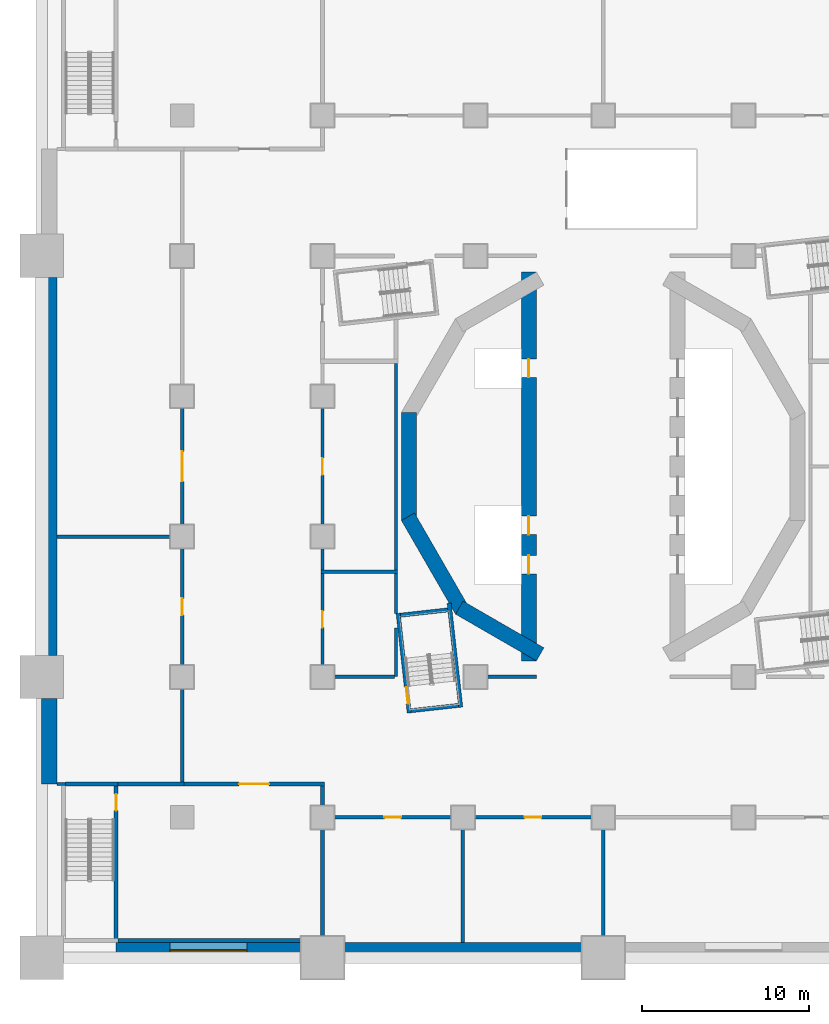
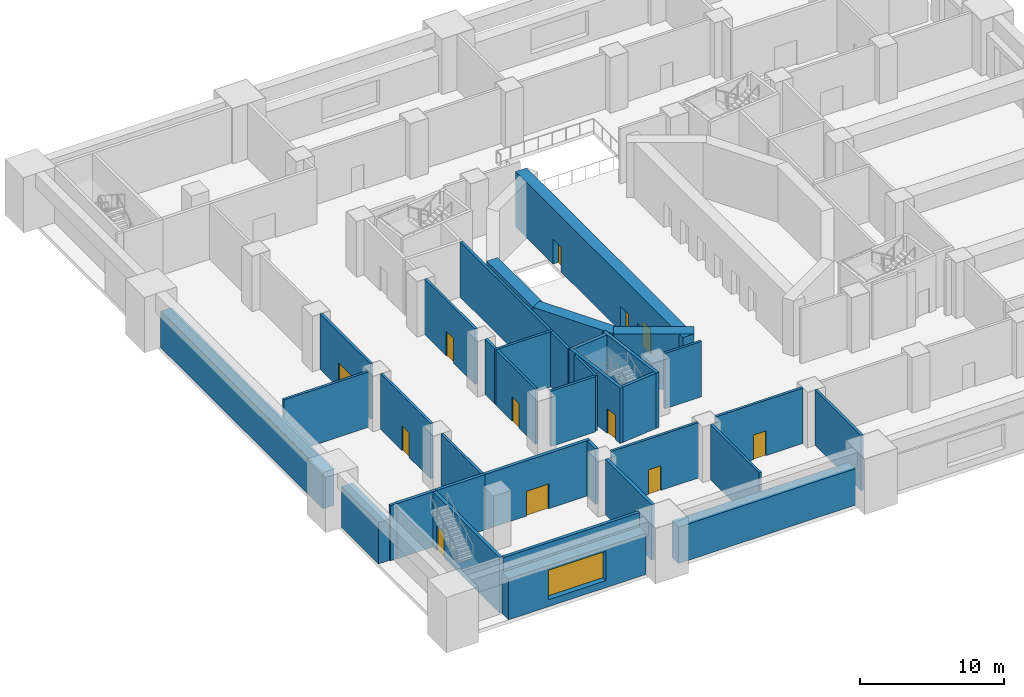
# One storey, part 2 of 17: 37 walls, 12 doors, 1 window, 13 openings.
"""IFC4 building model written with IfcOpenShell, lengths in metres."""

from ifc_helpers import new_model, si_unit, direction, frame, frame_2d, origin, place, context, subcontext, project, spatial, rectangle, extrude, material, layer, layer_set, type_object, element, fill, save


model = new_model("IFC4")

# Units and contexts
model_context = context("Model", 3, precision=1e-05, world=origin(), true_north=direction((0.0, 1.0)))
body_context = subcontext(model_context, "Body", "Model", "MODEL_VIEW")
ifc_project = project(units=[si_unit("LENGTHUNIT", "METRE"), si_unit("AREAUNIT", "SQUARE_METRE"), si_unit("VOLUMEUNIT", "CUBIC_METRE"), si_unit("PLANEANGLEUNIT", "RADIAN"), si_unit("MASSUNIT", "GRAM", prefix="KILO")], contexts=[model_context])

# Site, building, storey
site_placement = place(None, origin())
site = spatial("IfcSite", under=ifc_project, at=site_placement, CompositionType="ELEMENT")
building_placement = place(site_placement, origin())
building = spatial("IfcBuilding", under=site, at=building_placement, Name="Cantera Rosa Tower", CompositionType="ELEMENT")
storey_placement = place(building_placement, frame((0.0, 0.0, 22.0)))
storey = spatial("IfcBuildingStorey", under=building, at=storey_placement, Name="L03", CompositionType="ELEMENT", Elevation=22.0)

# Walls
ifc_material_1 = material(Name="Masonry blockwork", Category="masonry")
ifc_layer_1 = layer(ifc_material_1, 0.199951171875)
ifc_layer_set_1 = layer_set([ifc_layer_1], Name="Blockwork partition 200")
wall_type_1 = type_object("IfcWallType", Name="Blockwork partition 200", PredefinedType="PARTITIONING", material=ifc_layer_set_1)
wall_1_placement = place(storey_placement, frame((-16.10009765625, -12.57666015625, 0.0), z_axis=(0.0, 0.0, 1.0), x_axis=(1.0, 0.0, 0.0)))
element("IfcWall", 1, at=wall_1_placement, inside=storey, type_object=wall_type_1, Name="Partition L03-1", PredefinedType="PARTITIONING", context=body_context, shape_type="SweptSolid", body=[
    extrude(rectangle(XDim=3.60009765625, YDim=0.199951171875, at=frame_2d((1.800048828125, 0.0))), origin(), (0.0, 0.0, 1.0), 4.699951171875),
])
wall_2_placement = place(storey_placement, frame((-6.949951171875, -12.57666015625, 0.0), z_axis=(0.0, 0.0, 1.0), x_axis=(1.0, 0.0, 0.0)))
element("IfcWall", 2, at=wall_2_placement, inside=storey, type_object=wall_type_1, Name="Partition L03-2", PredefinedType="PARTITIONING", context=body_context, shape_type="SweptSolid", body=[
    extrude(rectangle(XDim=2.949951171875, YDim=0.199951171875, at=frame_2d((1.47509765625, 0.0))), origin(), (0.0, 0.0, 1.0), 4.699951171875),
])
wall_3_placement = place(storey_placement, frame((-12.39990234375, -12.57666015625, 0.0), z_axis=(0.0, 0.0, 1.0), x_axis=(0.0, 1.0, 0.0)))
element("IfcWall", 3, at=wall_3_placement, inside=storey, type_object=wall_type_1, Name="Partition L03-7", PredefinedType="PARTITIONING", context=body_context, shape_type="SweptSolid", body=[
    extrude(rectangle(XDim=2.921142578125, YDim=0.199951171875, at=frame_2d((1.46044921875, 0.0))), origin(), (0.0, 0.0, 1.0), 4.699951171875),
])
wall_4_placement = place(storey_placement, frame((-12.39990234375, -8.802490234375, 0.0), z_axis=(0.0, 0.0, 1.0), x_axis=(0.0, 1.0, 0.0)))
element("IfcWall", 4, at=wall_4_placement, inside=storey, type_object=wall_type_1, Name="Partition L03-8", PredefinedType="PARTITIONING", context=body_context, shape_type="SweptSolid", body=[
    extrude(rectangle(XDim=2.402587890625, YDim=0.199951171875, at=frame_2d((1.201171875, 0.0))), origin(), (0.0, 0.0, 1.0), 4.699951171875),
])
wall_5_placement = place(storey_placement, frame((-12.39990234375, -6.199951171875, 0.0), z_axis=(0.0, 0.0, 1.0), x_axis=(0.0, 1.0, 0.0)))
element("IfcWall", 5, at=wall_5_placement, inside=storey, type_object=wall_type_1, Name="Partition L03-9", PredefinedType="PARTITIONING", context=body_context, shape_type="SweptSolid", body=[
    extrude(rectangle(XDim=12.375, YDim=0.199951171875, at=frame_2d((6.1875, 0.0))), origin(), (0.0, 0.0, 1.0), 4.699951171875),
])

# Wall, opening, door
wall_6_placement = place(storey_placement, frame((-16.800048828125, -11.89990234375, 0.0), z_axis=(0.0, 0.0, 1.0), x_axis=(0.0, 1.0, 0.0)))
wall_6 = element("IfcWall", 6, at=wall_6_placement, inside=storey, type_object=wall_type_1, Name="Partition L03-39", PredefinedType="PARTITIONING", context=body_context, shape_type="SweptSolid", body=[
    extrude(rectangle(XDim=5.5, YDim=0.199951171875, at=frame_2d((2.75, 0.0))), origin(), (0.0, 0.0, 1.0), 4.699951171875),
])
opening_1_placement = place(wall_6_placement, frame((2.25, 0.0, 0.0)))
opening_1 = element("IfcOpeningElement", 7, at=opening_1_placement, cuts=wall_6, Name="Opening L03-013", PredefinedType="OPENING", context=body_context, shape_type="SweptSolid", body=[
    extrude(rectangle(XDim=1.0, YDim=2.10009765625, at=frame_2d((0.5, 1.050048828125))), frame((0.0, 0.10986328125, 0.0), z_axis=(0.0, -1.0, 0.0), x_axis=(1.0, 0.0, 0.0)), (0.0, 0.0, 1.0), 0.219970703125),
])
ifc_material_2 = material(Name="Timber", Category="wood")
door_type_1 = type_object("IfcDoorType", Name="Door 1000x2100", OperationType="NOTDEFINED", PredefinedType="DOOR", material=ifc_material_2)
door_1_placement = place(opening_1_placement, origin())
door_1 = element("IfcDoor", 8, at=door_1_placement, inside=storey, type_object=door_type_1, Name="Door L03-013", OverallHeight=2.10009765625, OverallWidth=1.0, PredefinedType="DOOR", context=body_context, shape_type="SweptSolid", body=[
    extrude(rectangle(XDim=1.0, YDim=2.10009765625, at=frame_2d((0.5, 1.050048828125))), frame((0.0, 0.02490234375, 0.0), z_axis=(0.0, -1.0, 0.0), x_axis=(1.0, 0.0, 0.0)), (0.0, 0.0, 1.0), 0.050048828125),
])
fill(opening_1, door_1)

# Wall
wall_7_placement = place(storey_placement, frame((-16.800048828125, -6.199951171875, 0.0), z_axis=(0.0, 0.0, 1.0), x_axis=(0.0, 1.0, 0.0)))
element("IfcWall", 9, at=wall_7_placement, inside=storey, type_object=wall_type_1, Name="Partition L03-40", PredefinedType="PARTITIONING", context=body_context, shape_type="SweptSolid", body=[
    extrude(rectangle(XDim=1.300048828125, YDim=0.199951171875, at=frame_2d((0.64990234375, 0.0))), origin(), (0.0, 0.0, 1.0), 4.699951171875),
])

# Wall, opening, door
wall_8_placement = place(storey_placement, frame((-16.800048828125, -3.5, 0.0), z_axis=(0.0, 0.0, 1.0), x_axis=(0.0, 1.0, 0.0)))
wall_8 = element("IfcWall", 10, at=wall_8_placement, inside=storey, type_object=wall_type_1, Name="Partition L03-41", PredefinedType="PARTITIONING", context=body_context, shape_type="SweptSolid", body=[
    extrude(rectangle(XDim=7.0, YDim=0.199951171875, at=frame_2d((3.5, 0.0))), origin(), (0.0, 0.0, 1.0), 4.699951171875),
])
opening_2_placement = place(wall_8_placement, frame((3.0, 0.0, 0.0)))
opening_2 = element("IfcOpeningElement", 11, at=opening_2_placement, cuts=wall_8, Name="Opening L03-014", PredefinedType="OPENING", context=body_context, shape_type="SweptSolid", body=[
    extrude(rectangle(XDim=1.0, YDim=2.10009765625, at=frame_2d((0.5, 1.050048828125))), frame((0.0, 0.10986328125, 0.0), z_axis=(0.0, -1.0, 0.0), x_axis=(1.0, 0.0, 0.0)), (0.0, 0.0, 1.0), 0.219970703125),
])
door_2_placement = place(opening_2_placement, origin())
door_2 = element("IfcDoor", 12, at=door_2_placement, inside=storey, type_object=door_type_1, Name="Door L03-014", OverallHeight=2.10009765625, OverallWidth=1.0, PredefinedType="DOOR", context=body_context, shape_type="SweptSolid", body=[
    extrude(rectangle(XDim=1.0, YDim=2.10009765625, at=frame_2d((0.5, 1.050048828125))), frame((0.0, 0.02490234375, 0.0), z_axis=(0.0, -1.0, 0.0), x_axis=(1.0, 0.0, 0.0)), (0.0, 0.0, 1.0), 0.050048828125),
])
fill(opening_2, door_2)

# Walls
wall_9_placement = place(storey_placement, frame((-16.89990234375, -6.300048828125, 0.0), z_axis=(0.0, 0.0, 1.0), x_axis=(1.0, 0.0, 0.0)))
element("IfcWall", 13, at=wall_9_placement, inside=storey, type_object=wall_type_1, Name="Partition L03-46", PredefinedType="PARTITIONING", context=body_context, shape_type="SweptSolid", body=[
    extrude(rectangle(XDim=4.599853515625, YDim=0.199951171875, at=frame_2d((2.2998046875, 0.0))), origin(), (0.0, 0.0, 1.0), 4.699951171875),
])
wall_10_placement = place(storey_placement, frame((-32.699951171875, -19.0, 0.0), z_axis=(0.0, 0.0, 1.0), x_axis=(1.0, 0.0, 0.0)))
element("IfcWall", 14, at=wall_10_placement, inside=storey, type_object=wall_type_1, Name="Partition L03-67", PredefinedType="PARTITIONING", context=body_context, shape_type="SweptSolid", body=[
    extrude(rectangle(XDim=0.52490234375, YDim=0.199951171875, at=frame_2d((0.262451171875, 0.0))), origin(), (0.0, 0.0, 1.0), 4.699951171875),
])
wall_11_placement = place(storey_placement, frame((0.0, -28.10009765625, 0.0), z_axis=(0.0, 0.0, 1.0), x_axis=(0.0, 1.0, 0.0)))
element("IfcWall", 15, at=wall_11_placement, inside=storey, type_object=wall_type_1, Name="Partition L03-77", PredefinedType="PARTITIONING", context=body_context, shape_type="SweptSolid", body=[
    extrude(rectangle(XDim=6.400146484375, YDim=0.199951171875, at=frame_2d((3.2001953125, 0.0))), origin(), (0.0, 0.0, 1.0), 4.699951171875),
])
wall_12_placement = place(storey_placement, frame((-8.39990234375, -28.5, 0.0), z_axis=(0.0, 0.0, 1.0), x_axis=(0.0, 1.0, 0.0)))
element("IfcWall", 16, at=wall_12_placement, inside=storey, type_object=wall_type_1, Name="Partition L03-83", PredefinedType="PARTITIONING", context=body_context, shape_type="SweptSolid", body=[
    extrude(rectangle(XDim=6.800048828125, YDim=0.199951171875, at=frame_2d((3.39990234375, 0.0))), origin(), (0.0, 0.0, 1.0), 4.699951171875),
])

# Wall, opening, door
wall_13_placement = place(storey_placement, frame((-16.10009765625, -21.0, 0.0), z_axis=(0.0, 0.0, 1.0), x_axis=(1.0, 0.0, 0.0)))
wall_13 = element("IfcWall", 17, at=wall_13_placement, inside=storey, type_object=wall_type_1, Name="Partition L03-84", PredefinedType="PARTITIONING", context=body_context, shape_type="SweptSolid", body=[
    extrude(rectangle(XDim=7.0, YDim=0.199951171875, at=frame_2d((3.5, 0.0))), origin(), (0.0, 0.0, 1.0), 4.699951171875),
])
opening_3_placement = place(wall_13_placement, frame((3.0, 0.0, 0.0)))
opening_3 = element("IfcOpeningElement", 18, at=opening_3_placement, cuts=wall_13, Name="Opening L03-003", PredefinedType="OPENING", context=body_context, shape_type="SweptSolid", body=[
    extrude(rectangle(XDim=1.0, YDim=2.10009765625, at=frame_2d((0.5, 1.050048828125))), frame((0.0, 0.10986328125, 0.0), z_axis=(0.0, -1.0, 0.0), x_axis=(1.0, 0.0, 0.0)), (0.0, 0.0, 1.0), 0.219970703125),
])
door_3_placement = place(opening_3_placement, origin())
door_3 = element("IfcDoor", 19, at=door_3_placement, inside=storey, type_object=door_type_1, Name="Door L03-003", OverallHeight=2.10009765625, OverallWidth=1.0, PredefinedType="DOOR", context=body_context, shape_type="SweptSolid", body=[
    extrude(rectangle(XDim=1.0, YDim=2.10009765625, at=frame_2d((0.5, 1.050048828125))), frame((0.0, 0.02490234375, 0.0), z_axis=(0.0, -1.0, 0.0), x_axis=(1.0, 0.0, 0.0)), (0.0, 0.0, 1.0), 0.050048828125),
])
fill(opening_3, door_3)

wall_14_placement = place(storey_placement, frame((-7.699951171875, -21.0, 0.0), z_axis=(0.0, 0.0, 1.0), x_axis=(1.0, 0.0, 0.0)))
wall_14 = element("IfcWall", 20, at=wall_14_placement, inside=storey, type_object=wall_type_1, Name="Partition L03-85", PredefinedType="PARTITIONING", context=body_context, shape_type="SweptSolid", body=[
    extrude(rectangle(XDim=7.0, YDim=0.199951171875, at=frame_2d((3.5, 0.0))), origin(), (0.0, 0.0, 1.0), 4.699951171875),
])
opening_4_placement = place(wall_14_placement, frame((3.0, 0.0, 0.0)))
opening_4 = element("IfcOpeningElement", 21, at=opening_4_placement, cuts=wall_14, Name="Opening L03-004", PredefinedType="OPENING", context=body_context, shape_type="SweptSolid", body=[
    extrude(rectangle(XDim=1.0, YDim=2.10009765625, at=frame_2d((0.5, 1.050048828125))), frame((0.0, 0.10986328125, 0.0), z_axis=(0.0, -1.0, 0.0), x_axis=(1.0, 0.0, 0.0)), (0.0, 0.0, 1.0), 0.219970703125),
])
door_4_placement = place(opening_4_placement, origin())
door_4 = element("IfcDoor", 22, at=door_4_placement, inside=storey, type_object=door_type_1, Name="Door L03-004", OverallHeight=2.10009765625, OverallWidth=1.0, PredefinedType="DOOR", context=body_context, shape_type="SweptSolid", body=[
    extrude(rectangle(XDim=1.0, YDim=2.10009765625, at=frame_2d((0.5, 1.050048828125))), frame((0.0, 0.02490234375, 0.0), z_axis=(0.0, -1.0, 0.0), x_axis=(1.0, 0.0, 0.0)), (0.0, 0.0, 1.0), 0.050048828125),
])
fill(opening_4, door_4)

# Wall
wall_15_placement = place(storey_placement, frame((-25.199951171875, -18.875, 0.0), z_axis=(0.0, 0.0, 1.0), x_axis=(0.0, 1.0, 0.0)))
element("IfcWall", 23, at=wall_15_placement, inside=storey, type_object=wall_type_1, Name="Partition L03-89", PredefinedType="PARTITIONING", context=body_context, shape_type="SweptSolid", body=[
    extrude(rectangle(XDim=5.574951171875, YDim=0.199951171875, at=frame_2d((2.78759765625, 0.0))), origin(), (0.0, 0.0, 1.0), 4.699951171875),
])

# Wall, opening, door
wall_16_placement = place(storey_placement, frame((-25.199951171875, -11.89990234375, 0.0), z_axis=(0.0, 0.0, 1.0), x_axis=(0.0, 1.0, 0.0)))
wall_16 = element("IfcWall", 24, at=wall_16_placement, inside=storey, type_object=wall_type_1, Name="Partition L03-90", PredefinedType="PARTITIONING", context=body_context, shape_type="SweptSolid", body=[
    extrude(rectangle(XDim=7.0, YDim=0.199951171875, at=frame_2d((3.5, 0.0))), origin(), (0.0, 0.0, 1.0), 4.699951171875),
])
opening_5_placement = place(wall_16_placement, frame((3.0, 0.0, 0.0)))
opening_5 = element("IfcOpeningElement", 25, at=opening_5_placement, cuts=wall_16, Name="Opening L03-007", PredefinedType="OPENING", context=body_context, shape_type="SweptSolid", body=[
    extrude(rectangle(XDim=1.0, YDim=2.10009765625, at=frame_2d((0.5, 1.050048828125))), frame((0.0, 0.10986328125, 0.0), z_axis=(0.0, -1.0, 0.0), x_axis=(1.0, 0.0, 0.0)), (0.0, 0.0, 1.0), 0.219970703125),
])
door_5_placement = place(opening_5_placement, origin())
door_5 = element("IfcDoor", 26, at=door_5_placement, inside=storey, type_object=door_type_1, Name="Door L03-007", OverallHeight=2.10009765625, OverallWidth=1.0, PredefinedType="DOOR", context=body_context, shape_type="SweptSolid", body=[
    extrude(rectangle(XDim=1.0, YDim=2.10009765625, at=frame_2d((0.5, 1.050048828125))), frame((0.0, 0.02490234375, 0.0), z_axis=(0.0, -1.0, 0.0), x_axis=(1.0, 0.0, 0.0)), (0.0, 0.0, 1.0), 0.050048828125),
])
fill(opening_5, door_5)

wall_17_placement = place(storey_placement, frame((-25.199951171875, -3.5, 0.0), z_axis=(0.0, 0.0, 1.0), x_axis=(0.0, 1.0, 0.0)))
wall_17 = element("IfcWall", 27, at=wall_17_placement, inside=storey, type_object=wall_type_1, Name="Partition L03-91", PredefinedType="PARTITIONING", context=body_context, shape_type="SweptSolid", body=[
    extrude(rectangle(XDim=7.0, YDim=0.199951171875, at=frame_2d((3.5, 0.0))), origin(), (0.0, 0.0, 1.0), 4.699951171875),
])
opening_6_placement = place(wall_17_placement, frame((2.60009765625, 0.0, 0.0)))
opening_6 = element("IfcOpeningElement", 28, at=opening_6_placement, cuts=wall_17, Name="Opening L03-008", PredefinedType="OPENING", context=body_context, shape_type="SweptSolid", body=[
    extrude(rectangle(XDim=1.800048828125, YDim=2.10009765625, at=frame_2d((0.89990234375, 1.050048828125))), frame((0.0, 0.10986328125, 0.0), z_axis=(0.0, -1.0, 0.0), x_axis=(1.0, 0.0, 0.0)), (0.0, 0.0, 1.0), 0.219970703125),
])
ifc_material_3 = material(Name="Timber", Category="wood")
door_type_2 = type_object("IfcDoorType", Name="Double door 1800x2100", OperationType="NOTDEFINED", PredefinedType="DOOR", material=ifc_material_3)
door_6_placement = place(opening_6_placement, origin())
door_6 = element("IfcDoor", 29, at=door_6_placement, inside=storey, type_object=door_type_2, Name="Door L03-008", OperationType="DOUBLE_DOOR_SINGLE_SWING", OverallHeight=2.10009765625, OverallWidth=1.800048828125, PredefinedType="DOOR", context=body_context, shape_type="SweptSolid", body=[
    extrude(rectangle(XDim=1.800048828125, YDim=2.10009765625, at=frame_2d((0.89990234375, 1.050048828125))), frame((0.0, 0.02490234375, 0.0), z_axis=(0.0, -1.0, 0.0), x_axis=(1.0, 0.0, 0.0)), (0.0, 0.0, 1.0), 0.050048828125),
])
fill(opening_6, door_6)

# Walls
wall_18_placement = place(storey_placement, frame((-32.699951171875, -4.199951171875, 0.0), z_axis=(0.0, 0.0, 1.0), x_axis=(1.0, 0.0, 0.0)))
element("IfcWall", 30, at=wall_18_placement, inside=storey, type_object=wall_type_1, Name="Partition L03-94", PredefinedType="PARTITIONING", context=body_context, shape_type="SweptSolid", body=[
    extrude(rectangle(XDim=6.800048828125, YDim=0.199951171875, at=frame_2d((3.39990234375, 0.0))), origin(), (0.0, 0.0, 1.0), 4.699951171875),
])
ifc_material_4 = material(Name="Concrete C70/85", Category="concrete")
ifc_layer_2 = layer(ifc_material_4, 0.89990234375)
ifc_layer_set_2 = layer_set([ifc_layer_2], Name="Drum wall 900")
wall_type_2 = type_object("IfcWallType", Name="Drum wall 900", PredefinedType="SHEAR", material=ifc_layer_set_2)
wall_19_placement = place(storey_placement, frame((-3.77490234375, -11.242919921875, 0.0), z_axis=(0.0, 0.0, 1.0), x_axis=(-0.866026961591, 0.49999730179, 0.0)))
element("IfcWall", 31, at=wall_19_placement, inside=storey, type_object=wall_type_2, Name="Drum wall west 1 L03", PredefinedType="SHEAR", context=body_context, shape_type="SweptSolid", body=[
    extrude(rectangle(XDim=5.58740234375, YDim=0.89990234375, at=frame_2d((2.793701171875, 0.0))), origin(), (0.0, 0.0, 1.0), 4.699951171875),
])
wall_20_placement = place(storey_placement, frame((-8.44921875, -8.61376953125, 0.0), z_axis=(0.0, 0.0, 1.0), x_axis=(-0.499990282633, 0.866031014036, 0.0)))
element("IfcWall", 32, at=wall_20_placement, inside=storey, type_object=wall_type_2, Name="Drum wall west 2 L03", PredefinedType="SHEAR", context=body_context, shape_type="SweptSolid", body=[
    extrude(rectangle(XDim=6.470458984375, YDim=0.89990234375, at=frame_2d((3.2353515625, 0.0))), origin(), (0.0, 0.0, 1.0), 4.699951171875),
])
wall_21_placement = place(storey_placement, frame((-11.6240234375, -3.2353515625, 0.0), z_axis=(0.0, 0.0, 1.0), x_axis=(0.0, 1.0, 0.0)))
element("IfcWall", 33, at=wall_21_placement, inside=storey, type_object=wall_type_2, Name="Drum wall west 3 L03", PredefinedType="SHEAR", context=body_context, shape_type="SweptSolid", body=[
    extrude(rectangle(XDim=6.470703125, YDim=0.89990234375, at=frame_2d((3.2353515625, 0.0))), origin(), (0.0, 0.0, 1.0), 4.699951171875),
])

# Wall, openings, doors
wall_22_placement = place(storey_placement, frame((-4.449951171875, 11.632568359375, 0.0), z_axis=(0.0, 0.0, 1.0), x_axis=(0.0, -1.0, 0.0)))
wall_22 = element("IfcWall", 34, at=wall_22_placement, inside=storey, type_object=wall_type_2, Name="Drum wall west 6 L03", PredefinedType="SHEAR", context=body_context, shape_type="SweptSolid", body=[
    extrude(rectangle(XDim=23.26513671875, YDim=0.89990234375, at=frame_2d((11.632568359375, 0.0))), origin(), (0.0, 0.0, 1.0), 4.699951171875),
])
opening_7_placement = place(wall_22_placement, frame((14.607421875, 0.0, 0.0)))
opening_7 = element("IfcOpeningElement", 35, at=opening_7_placement, cuts=wall_22, Name="Opening LD-P3-L03", PredefinedType="OPENING", context=body_context, shape_type="SweptSolid", body=[
    extrude(rectangle(XDim=1.10009765625, YDim=2.10009765625, at=frame_2d((0.550048828125, 1.050048828125))), frame((0.0, 0.4599609375, 0.0), z_axis=(0.0, -1.0, 0.0), x_axis=(1.0, 0.0, 0.0)), (0.0, 0.0, 1.0), 0.919921875),
])
opening_8_placement = place(wall_22_placement, frame((16.95751953125, 0.0, 0.0)))
opening_8 = element("IfcOpeningElement", 36, at=opening_8_placement, cuts=wall_22, Name="Opening LD-P4-L03", PredefinedType="OPENING", context=body_context, shape_type="SweptSolid", body=[
    extrude(rectangle(XDim=1.10009765625, YDim=2.10009765625, at=frame_2d((0.550048828125, 1.050048828125))), frame((0.0, 0.4599609375, 0.0), z_axis=(0.0, -1.0, 0.0), x_axis=(1.0, 0.0, 0.0)), (0.0, 0.0, 1.0), 0.919921875),
])
opening_9_placement = place(wall_22_placement, frame((5.20751953125, 0.0, 0.0)))
opening_9 = element("IfcOpeningElement", 37, at=opening_9_placement, cuts=wall_22, Name="Opening LD-P5-L03", PredefinedType="OPENING", context=body_context, shape_type="SweptSolid", body=[
    extrude(rectangle(XDim=1.10009765625, YDim=2.10009765625, at=frame_2d((0.550048828125, 1.050048828125))), frame((0.0, 0.4599609375, 0.0), z_axis=(0.0, -1.0, 0.0), x_axis=(1.0, 0.0, 0.0)), (0.0, 0.0, 1.0), 0.919921875),
])
ifc_material_5 = material(Name="Steel S355J2 (EN 10025-2)", Category="steel")
door_type_3 = type_object("IfcDoorType", Name="LANDING DOOR 1100x2100", OperationType="NOTDEFINED", PredefinedType="DOOR", material=ifc_material_5)
door_7_placement = place(opening_7_placement, origin())
door_7 = element("IfcDoor", 38, at=door_7_placement, inside=storey, type_object=door_type_3, Name="LANDING DOOR P3 L03", OperationType="SLIDING_TO_LEFT", OverallHeight=2.10009765625, OverallWidth=1.10009765625, PredefinedType="DOOR", context=body_context, shape_type="SweptSolid", body=[
    extrude(rectangle(XDim=1.10009765625, YDim=2.10009765625, at=frame_2d((0.550048828125, 1.050048828125))), frame((0.0, 0.02490234375, 0.0), z_axis=(0.0, -1.0, 0.0), x_axis=(1.0, 0.0, 0.0)), (0.0, 0.0, 1.0), 0.050048828125),
])
fill(opening_7, door_7)
door_8_placement = place(opening_8_placement, origin())
door_8 = element("IfcDoor", 39, at=door_8_placement, inside=storey, type_object=door_type_3, Name="LANDING DOOR P4 L03", OperationType="SLIDING_TO_LEFT", OverallHeight=2.10009765625, OverallWidth=1.10009765625, PredefinedType="DOOR", context=body_context, shape_type="SweptSolid", body=[
    extrude(rectangle(XDim=1.10009765625, YDim=2.10009765625, at=frame_2d((0.550048828125, 1.050048828125))), frame((0.0, 0.02490234375, 0.0), z_axis=(0.0, -1.0, 0.0), x_axis=(1.0, 0.0, 0.0)), (0.0, 0.0, 1.0), 0.050048828125),
])
fill(opening_8, door_8)
door_9_placement = place(opening_9_placement, origin())
door_9 = element("IfcDoor", 40, at=door_9_placement, inside=storey, type_object=door_type_3, Name="LANDING DOOR P5 L03", OperationType="SLIDING_TO_LEFT", OverallHeight=2.10009765625, OverallWidth=1.10009765625, PredefinedType="DOOR", context=body_context, shape_type="SweptSolid", body=[
    extrude(rectangle(XDim=1.10009765625, YDim=2.10009765625, at=frame_2d((0.550048828125, 1.050048828125))), frame((0.0, 0.02490234375, 0.0), z_axis=(0.0, -1.0, 0.0), x_axis=(1.0, 0.0, 0.0)), (0.0, 0.0, 1.0), 0.050048828125),
])
fill(opening_9, door_9)

# Walls
ifc_material_6 = material(Name="Masonry blockwork", Category="masonry")
ifc_layer_3 = layer(ifc_material_6, 0.25)
ifc_layer_set_3 = layer_set([ifc_layer_3], Name="Fire-rated external wall 250")
wall_type_3 = type_object("IfcWallType", Name="Fire-rated external wall 250", PredefinedType="PARTITIONING", material=ifc_layer_set_3)
wall_23_placement = place(storey_placement, frame((-29.02490234375, -28.375, 0.0), z_axis=(0.0, 0.0, 1.0), x_axis=(1.0, 0.0, 0.0)))
element("IfcWall", 41, at=wall_23_placement, inside=storey, type_object=wall_type_3, Name="Fire wall L03-74", PredefinedType="PARTITIONING", context=body_context, shape_type="SweptSolid", body=[
    extrude(rectangle(XDim=10.9248046875, YDim=0.25, at=frame_2d((5.46240234375, 0.0))), origin(), (0.0, 0.0, 1.0), 4.699951171875),
])
ifc_material_7 = material(Name="Masonry blockwork", Category="masonry")
ifc_layer_4 = layer(ifc_material_7, 0.25)
ifc_layer_set_4 = layer_set([ifc_layer_4], Name="Fire-rated wall 250")
wall_type_4 = type_object("IfcWallType", Name="Fire-rated wall 250", PredefinedType="PARTITIONING", material=ifc_layer_set_4)
wall_24_placement = place(storey_placement, frame((-16.800048828125, -28.10009765625, 0.0), z_axis=(0.0, 0.0, 1.0), x_axis=(0.0, 1.0, 0.0)))
element("IfcWall", 42, at=wall_24_placement, inside=storey, type_object=wall_type_4, Name="Fire wall L03-37", PredefinedType="PARTITIONING", context=body_context, shape_type="SweptSolid", body=[
    extrude(rectangle(XDim=6.400146484375, YDim=0.25, at=frame_2d((3.2001953125, 0.0))), origin(), (0.0, 0.0, 1.0), 4.699951171875),
])
wall_25_placement = place(storey_placement, frame((-16.800048828125, -20.300048828125, 0.0), z_axis=(0.0, 0.0, 1.0), x_axis=(0.0, 1.0, 0.0)))
element("IfcWall", 43, at=wall_25_placement, inside=storey, type_object=wall_type_4, Name="Fire wall L03-38", PredefinedType="PARTITIONING", context=body_context, shape_type="SweptSolid", body=[
    extrude(rectangle(XDim=1.175048828125, YDim=0.25, at=frame_2d((0.58740234375, 0.0))), origin(), (0.0, 0.0, 1.0), 4.699951171875),
])
wall_26_placement = place(storey_placement, frame((-29.02490234375, -19.0, 0.0), z_axis=(0.0, 0.0, 1.0), x_axis=(1.0, 0.0, 0.0)))
element("IfcWall", 44, at=wall_26_placement, inside=storey, type_object=wall_type_4, Name="Fire wall L03-69", PredefinedType="PARTITIONING", context=body_context, shape_type="SweptSolid", body=[
    extrude(rectangle(XDim=3.9248046875, YDim=0.25, at=frame_2d((1.96240234375, 0.0))), origin(), (0.0, 0.0, 1.0), 4.699951171875),
])

# Wall, opening, door
wall_27_placement = place(storey_placement, frame((-25.10009765625, -19.0, 0.0), z_axis=(0.0, 0.0, 1.0), x_axis=(1.0, 0.0, 0.0)))
wall_27 = element("IfcWall", 45, at=wall_27_placement, inside=storey, type_object=wall_type_4, Name="Fire wall L03-70", PredefinedType="PARTITIONING", context=body_context, shape_type="SweptSolid", body=[
    extrude(rectangle(XDim=8.425048828125, YDim=0.25, at=frame_2d((4.21240234375, 0.0))), origin(), (0.0, 0.0, 1.0), 4.699951171875),
])
opening_10_placement = place(wall_27_placement, frame((3.3125, 0.0, 0.0)))
opening_10 = element("IfcOpeningElement", 46, at=opening_10_placement, cuts=wall_27, Name="Opening L03-022", PredefinedType="OPENING", context=body_context, shape_type="SweptSolid", body=[
    extrude(rectangle(XDim=1.800048828125, YDim=2.10009765625, at=frame_2d((0.89990234375, 1.050048828125))), frame((0.0, 0.135009765625, 0.0), z_axis=(0.0, -1.0, 0.0), x_axis=(1.0, 0.0, 0.0)), (0.0, 0.0, 1.0), 0.27001953125),
])
ifc_material_8 = material(Name="Steel S355J2 (EN 10025-2)", Category="steel")
door_type_4 = type_object("IfcDoorType", Name="Fire double door 1800x2100", OperationType="NOTDEFINED", PredefinedType="DOOR", material=ifc_material_8)
door_10_placement = place(opening_10_placement, origin())
door_10 = element("IfcDoor", 47, at=door_10_placement, inside=storey, type_object=door_type_4, Name="Door L03-022", OperationType="DOUBLE_DOOR_SINGLE_SWING", OverallHeight=2.10009765625, OverallWidth=1.800048828125, PredefinedType="DOOR", context=body_context, shape_type="SweptSolid", body=[
    extrude(rectangle(XDim=1.800048828125, YDim=2.10009765625, at=frame_2d((0.89990234375, 1.050048828125))), frame((0.0, 0.02490234375, 0.0), z_axis=(0.0, -1.0, 0.0), x_axis=(1.0, 0.0, 0.0)), (0.0, 0.0, 1.0), 0.050048828125),
])
fill(opening_10, door_10)

ifc_material_9 = material(Name="Concrete C50/60", Category="concrete")
ifc_layer_5 = layer(ifc_material_9, 0.25)
ifc_layer_set_5 = layer_set([ifc_layer_5], Name="RC stair wall 250 C50/60")
wall_type_5 = type_object("IfcWallType", Name="RC stair wall 250", PredefinedType="SOLIDWALL", material=ifc_layer_set_5)
wall_28_placement = place(storey_placement, frame((-29.14990234375, -28.375, 0.0), z_axis=(0.0, 0.0, 1.0), x_axis=(0.0, 1.0, 0.0)))
wall_28 = element("IfcWall", 48, at=wall_28_placement, inside=storey, type_object=wall_type_5, Name="Stair wall L03-63", PredefinedType="SOLIDWALL", context=body_context, shape_type="SweptSolid", body=[
    extrude(rectangle(XDim=9.25, YDim=0.25, at=frame_2d((4.625, 0.0))), origin(), (0.0, 0.0, 1.0), 4.699951171875),
])
opening_11_placement = place(wall_28_placement, frame((7.77490234375, 0.0, 0.0)))
opening_11 = element("IfcOpeningElement", 49, at=opening_11_placement, cuts=wall_28, Name="Opening L03-023", PredefinedType="OPENING", context=body_context, shape_type="SweptSolid", body=[
    extrude(rectangle(XDim=1.0, YDim=2.10009765625, at=frame_2d((0.5, 1.050048828125))), frame((0.0, 0.135009765625, 0.0), z_axis=(0.0, -1.0, 0.0), x_axis=(1.0, 0.0, 0.0)), (0.0, 0.0, 1.0), 0.27001953125),
])
ifc_material_10 = material(Name="Steel S355J2 (EN 10025-2)", Category="steel")
door_type_5 = type_object("IfcDoorType", Name="Fire door 1000x2100 EI 120", OperationType="NOTDEFINED", PredefinedType="DOOR", material=ifc_material_10)
door_11_placement = place(opening_11_placement, origin())
door_11 = element("IfcDoor", 50, at=door_11_placement, inside=storey, type_object=door_type_5, Name="Door L03-023", OverallHeight=2.10009765625, OverallWidth=1.0, PredefinedType="DOOR", context=body_context, shape_type="SweptSolid", body=[
    extrude(rectangle(XDim=1.0, YDim=2.10009765625, at=frame_2d((0.5, 1.050048828125))), frame((0.0, 0.02490234375, 0.0), z_axis=(0.0, -1.0, 0.0), x_axis=(1.0, 0.0, 0.0)), (0.0, 0.0, 1.0), 0.050048828125),
])
fill(opening_11, door_11)

# Walls
wall_29_placement = place(storey_placement, frame((-32.175048828125, -19.0, 0.0), z_axis=(0.0, 0.0, 1.0), x_axis=(1.0, 0.0, 0.0)))
element("IfcWall", 51, at=wall_29_placement, inside=storey, type_object=wall_type_5, Name="Stair wall L03-68", PredefinedType="SOLIDWALL", context=body_context, shape_type="SweptSolid", body=[
    extrude(rectangle(XDim=3.150146484375, YDim=0.25, at=frame_2d((1.5751953125, 0.0))), origin(), (0.0, 0.0, 1.0), 4.699951171875),
])
wall_30_placement = place(storey_placement, frame((-8.66650390625, -14.30029296875, 0.0), z_axis=(0.0, 0.0, 1.0), x_axis=(-0.993904609394, -0.110243491536, 0.0)))
element("IfcWall", 52, at=wall_30_placement, inside=storey, type_object=wall_type_5, Name="Stair wall ST-13 L03-1", PredefinedType="SOLIDWALL", context=body_context, shape_type="SweptSolid", body=[
    extrude(rectangle(XDim=2.85009765625, YDim=0.25, at=frame_2d((1.425048828125, 0.0))), origin(), (0.0, 0.0, 1.0), 4.699951171875),
])

# Wall, opening, door
wall_31_placement = place(storey_placement, frame((-11.609619140625, -14.752685546875, 0.0), z_axis=(0.0, 0.0, 1.0), x_axis=(-0.110310943534, 0.993897125329, 0.0)))
wall_31 = element("IfcWall", 53, at=wall_31_placement, inside=storey, type_object=wall_type_5, Name="Stair wall ST-13 L03-2", PredefinedType="SOLIDWALL", context=body_context, shape_type="SweptSolid", body=[
    extrude(rectangle(XDim=6.0, YDim=0.25, at=frame_2d((3.0, 0.0))), origin(), (0.0, 0.0, 1.0), 4.699951171875),
])
opening_12_placement = place(wall_31_placement, frame((0.550048828125, 0.0, 0.0)))
opening_12 = element("IfcOpeningElement", 54, at=opening_12_placement, cuts=wall_31, Name="Opening L03-ST-13", PredefinedType="OPENING", context=body_context, shape_type="SweptSolid", body=[
    extrude(rectangle(XDim=1.0, YDim=2.10009765625, at=frame_2d((0.5, 1.050048828125))), frame((0.0, 0.135009765625, 0.0), z_axis=(0.0, -1.0, 0.0), x_axis=(1.0, 0.0, 0.0)), (0.0, 0.0, 1.0), 0.27001953125),
])
door_12_placement = place(opening_12_placement, origin())
door_12 = element("IfcDoor", 55, at=door_12_placement, inside=storey, type_object=door_type_5, Name="Door L03-ST-13", OverallHeight=2.10009765625, OverallWidth=1.0, PredefinedType="DOOR", context=body_context, shape_type="SweptSolid", body=[
    extrude(rectangle(XDim=1.0, YDim=2.10009765625, at=frame_2d((0.5, 1.050048828125))), frame((0.0, 0.02490234375, 0.0), z_axis=(0.0, -1.0, 0.0), x_axis=(1.0, 0.0, 0.0)), (0.0, 0.0, 1.0), 0.050048828125),
])
fill(opening_12, door_12)

# Walls
wall_32_placement = place(storey_placement, frame((-12.133544921875, -8.899658203125, 0.0), z_axis=(0.0, 0.0, 1.0), x_axis=(0.993904609394, 0.110243491536, 0.0)))
element("IfcWall", 56, at=wall_32_placement, inside=storey, type_object=wall_type_5, Name="Stair wall ST-13 L03-3", PredefinedType="SOLIDWALL", context=body_context, shape_type="SweptSolid", body=[
    extrude(rectangle(XDim=2.85009765625, YDim=0.25, at=frame_2d((1.425048828125, 0.0))), origin(), (0.0, 0.0, 1.0), 4.699951171875),
])
wall_33_placement = place(storey_placement, frame((-9.22021484375, -8.17822265625, 0.0), z_axis=(0.0, 0.0, 1.0), x_axis=(0.110299055694, -0.993898444668, 0.0)))
element("IfcWall", 57, at=wall_33_placement, inside=storey, type_object=wall_type_5, Name="Stair wall ST-13 L03-4", PredefinedType="SOLIDWALL", context=body_context, shape_type="SweptSolid", body=[
    extrude(rectangle(XDim=6.270751953125, YDim=0.25, at=frame_2d((3.13525390625, 0.0))), origin(), (0.0, 0.0, 1.0), 4.699951171875),
])

# Wall, opening, window
ifc_material_11 = material(Name="Concrete C40/50 with limestone facing", Category="masonry")
ifc_layer_6 = layer(ifc_material_11, 0.89990234375)
ifc_layer_set_6 = layer_set([ifc_layer_6], Name="Stone podium wall 900")
wall_type_6 = type_object("IfcWallType", Name="Stone podium wall 900", PredefinedType="SOLIDWALL", material=ifc_layer_set_6)
wall_34_placement = place(storey_placement, frame((-18.10009765625, -28.949951171875, 0.0), z_axis=(0.0, 0.0, 1.0), x_axis=(-1.0, 0.0, 0.0)))
wall_34 = element("IfcWall", 58, at=wall_34_placement, inside=storey, type_object=wall_type_6, Name="Stone wall S L03-1", PredefinedType="SOLIDWALL", context=body_context, shape_type="SweptSolid", body=[
    extrude(rectangle(XDim=11.0498046875, YDim=0.89990234375, at=frame_2d((5.52490234375, 0.0))), origin(), (0.0, 0.0, 1.0), 3.5),
])
opening_13_placement = place(wall_34_placement, frame((3.22509765625, 0.0, 0.60009765625)))
opening_13 = element("IfcOpeningElement", 59, at=opening_13_placement, cuts=wall_34, Name="Opening L03-PWS1", PredefinedType="OPENING", context=body_context, shape_type="SweptSolid", body=[
    extrude(rectangle(XDim=4.60009765625, YDim=2.5, at=frame_2d((2.300048828125, 1.25))), frame((0.0, 0.4599609375, 0.0), z_axis=(0.0, -1.0, 0.0), x_axis=(1.0, 0.0, 0.0)), (0.0, 0.0, 1.0), 0.919921875),
])
ifc_material_12 = material(Name="Glass", Category="glass")
window_type = type_object("IfcWindowType", Name="Podium window 4600x2500", PartitioningType="SINGLE_PANEL", PredefinedType="WINDOW", material=ifc_material_12)
window_placement = place(opening_13_placement, origin())
window = element("IfcWindow", 60, at=window_placement, inside=storey, type_object=window_type, Name="Podium window L03-S1", OverallHeight=2.5, OverallWidth=4.60009765625, PartitioningType="SINGLE_PANEL", PredefinedType="WINDOW", context=body_context, shape_type="SweptSolid", body=[
    extrude(rectangle(XDim=4.60009765625, YDim=2.5, at=frame_2d((2.300048828125, 1.25))), frame((0.0, 0.030029296875, 0.0), z_axis=(0.0, -1.0, 0.0), x_axis=(1.0, 0.0, 0.0)), (0.0, 0.0, 1.0), 0.06005859375),
])
fill(opening_13, window)

# Walls
wall_35_placement = place(storey_placement, frame((-33.14990234375, -13.89990234375, 0.0), z_axis=(0.0, 0.0, 1.0), x_axis=(0.0, -1.0, 0.0)))
element("IfcWall", 61, at=wall_35_placement, inside=storey, type_object=wall_type_6, Name="Stone wall W L03-1", PredefinedType="SOLIDWALL", context=body_context, shape_type="SweptSolid", body=[
    extrude(rectangle(XDim=5.10009765625, YDim=0.89990234375, at=frame_2d((2.550048828125, 0.0))), origin(), (0.0, 0.0, 1.0), 3.5),
])
ifc_material_13 = material(Name="Concrete C40/50 with limestone facing", Category="masonry")
ifc_layer_7 = layer(ifc_material_13, 0.89990234375)
ifc_layer_set_7 = layer_set([ifc_layer_7], Name="Stone podium wall 900 under deep girder")
wall_type_7 = type_object("IfcWallType", Name="Stone podium wall 900 under deep girder", PredefinedType="SOLIDWALL", material=ifc_layer_set_7)
wall_36_placement = place(storey_placement, frame((-1.300048828125, -28.949951171875, 0.0), z_axis=(0.0, 0.0, 1.0), x_axis=(-1.0, 0.0, 0.0)))
element("IfcWall", 62, at=wall_36_placement, inside=storey, type_object=wall_type_7, Name="Stone wall S L03-2", PredefinedType="SOLIDWALL", context=body_context, shape_type="SweptSolid", body=[
    extrude(rectangle(XDim=14.199951171875, YDim=0.89990234375, at=frame_2d((7.10009765625, 0.0))), origin(), (0.0, 0.0, 1.0), 3.10009765625),
])
wall_37_placement = place(storey_placement, frame((-33.14990234375, 11.300048828125, 0.0), z_axis=(0.0, 0.0, 1.0), x_axis=(0.0, -1.0, 0.0)))
element("IfcWall", 63, at=wall_37_placement, inside=storey, type_object=wall_type_7, Name="Stone wall W L03-2", PredefinedType="SOLIDWALL", context=body_context, shape_type="SweptSolid", body=[
    extrude(rectangle(XDim=22.60009765625, YDim=0.89990234375, at=frame_2d((11.300048828125, 0.0))), origin(), (0.0, 0.0, 1.0), 3.10009765625),
])

save(model, "model.ifc")
